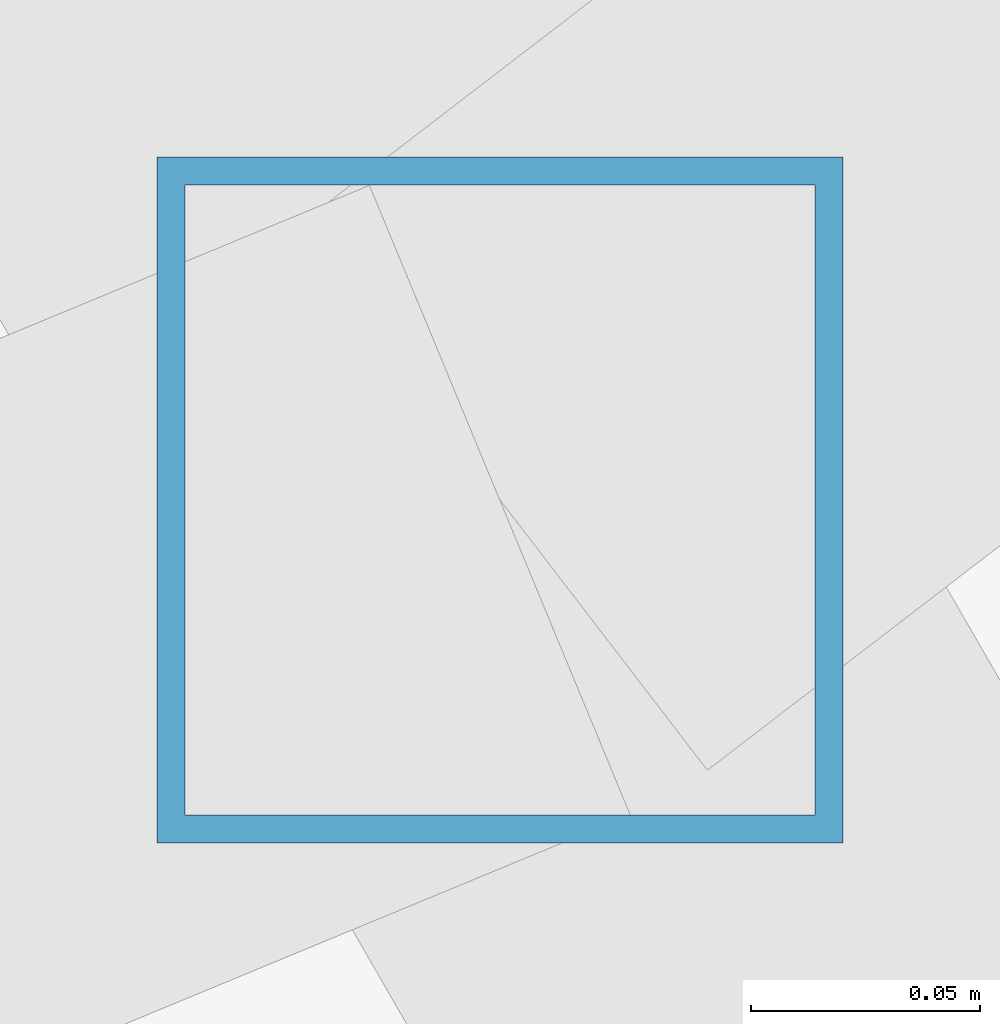
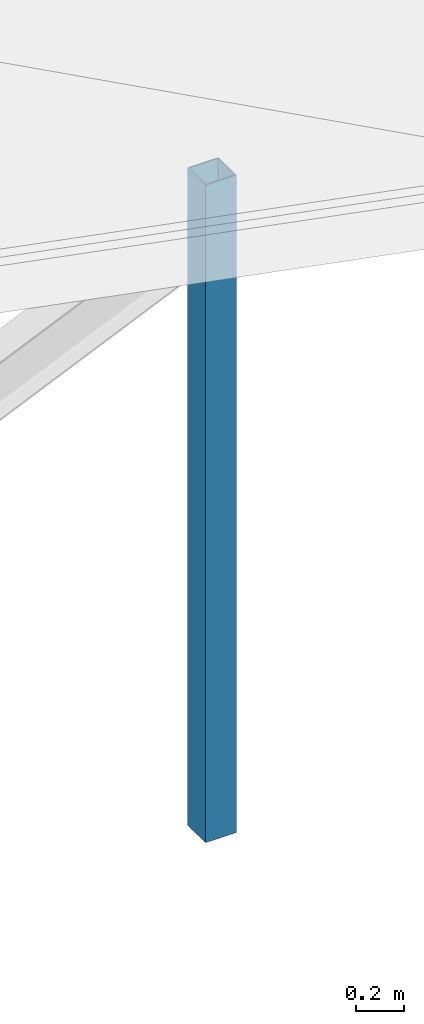
# One storey, part 54 of 185: 1 member.
"""IFC4 building model written with IfcOpenShell, lengths in metres."""

from ifc_helpers import new_model, si_unit, direction, frame, origin, origin_2d, place, context, subcontext, project, spatial, hollow_rectangle, extrude, material, material_profile, profile_set, type_object, element, save


model = new_model("IFC4")

# Units and contexts
model_context = context("Model", 3, precision=1e-05, world=origin(), true_north=direction((0.0, 1.0)))
body_context = subcontext(model_context, "Body", "Model", "MODEL_VIEW")
ifc_project = project(units=[si_unit("LENGTHUNIT", "METRE"), si_unit("AREAUNIT", "SQUARE_METRE"), si_unit("VOLUMEUNIT", "CUBIC_METRE"), si_unit("PLANEANGLEUNIT", "RADIAN"), si_unit("MASSUNIT", "GRAM", prefix="KILO")], contexts=[model_context])

# Site, building, storey
site_placement = place(None, origin())
site = spatial("IfcSite", under=ifc_project, at=site_placement, CompositionType="ELEMENT")
building_placement = place(site_placement, origin())
building = spatial("IfcBuilding", under=site, at=building_placement, Name="Vondelvale Polytechnic", CompositionType="ELEMENT")
storey_placement = place(building_placement, frame((0.0, 0.0, 9.60009765625)))
storey = spatial("IfcBuildingStorey", under=building, at=storey_placement, Name="L02", CompositionType="ELEMENT", Elevation=9.60009765625)

# Member
ifc_material = material(Name="Steel C350L0 (fy = 350 MPa)", Category="steel")
ifc_material_profile = material_profile(ifc_material, hollow_rectangle(XDim=0.14990234375, YDim=0.14990234375, WallThickness=0.006103515625, at=origin_2d()), Name="150x150x6.0SHS")
ifc_profile_set = profile_set([ifc_material_profile], Name="Steel C350L0 (fy = 350 MPa)")
member_type = type_object("IfcMemberType", Name="ROOF TRUSS POST 150SHS", PredefinedType="POST", material=ifc_profile_set)
member_placement = place(storey_placement, frame((125.0, 32.162841796875, 0.0), z_axis=(0.0, 0.0, 1.0), x_axis=(1.0, 0.0, 0.0)))
element("IfcMember", 1, at=member_placement, inside=storey, type_object=member_type, Name="Ring outer roof post 20", PredefinedType="POST", context=body_context, shape_type="SweptSolid", body=[
    extrude(hollow_rectangle(XDim=0.14990234375, YDim=0.14990234375, WallThickness=0.006103515625, at=origin_2d()), origin(), (0.0, 0.0, 1.0), 3.339599609375),
])

save(model, "model.ifc")
